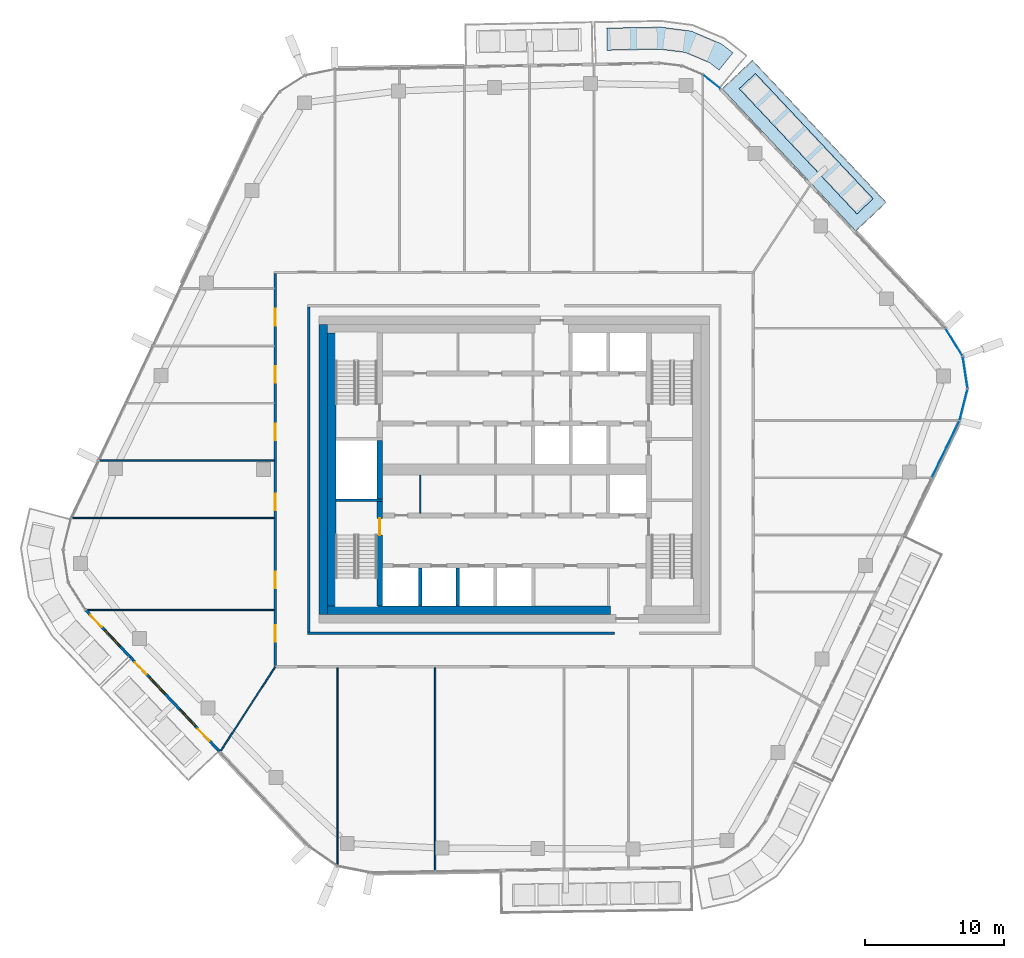
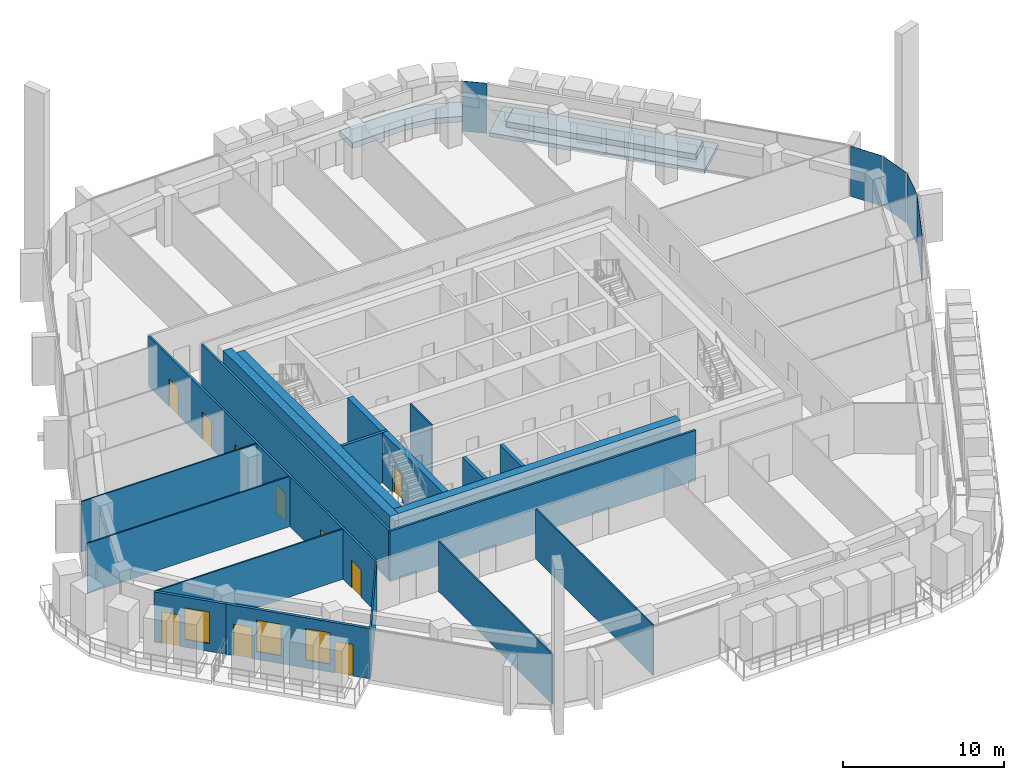
# One storey, part 12 of 24: 20 walls, 10 doors, 5 plates, 3 slabs, 3 windows, 13 openings, 3 elements without a shape of their own.
"""IFC4 building model written with IfcOpenShell, lengths in metres."""

from ifc_helpers import new_model, si_unit, direction, frame, frame_2d, origin, origin_2d, place, context, subcontext, project, spatial, polyline, rectangle, outline, extrude, material, layer, layer_set, type_object, element, fill, aggregate, save


model = new_model("IFC4")

# Units and contexts
model_context = context("Model", 3, precision=1e-05, world=origin(), true_north=direction((0.0, 1.0)))
body_context = subcontext(model_context, "Body", "Model", "MODEL_VIEW")
ifc_project = project(units=[si_unit("LENGTHUNIT", "METRE"), si_unit("AREAUNIT", "SQUARE_METRE"), si_unit("VOLUMEUNIT", "CUBIC_METRE"), si_unit("PLANEANGLEUNIT", "RADIAN"), si_unit("MASSUNIT", "GRAM", prefix="KILO")], contexts=[model_context])

# Site, building, storey
site_placement = place(None, origin())
site = spatial("IfcSite", under=ifc_project, at=site_placement, CompositionType="ELEMENT")
building_placement = place(site_placement, origin())
building = spatial("IfcBuilding", under=site, at=building_placement, Name="Dongbaek Canopy Tower", CompositionType="ELEMENT")
storey_placement = place(building_placement, frame((0.0, 0.0, 294.199951171875)))
storey = spatial("IfcBuildingStorey", under=building, at=storey_placement, Name="L62", CompositionType="ELEMENT", Elevation=294.199951171875)

# Slab
ifc_material_1 = material(Name="Concrete C40/50", Category="concrete")
ifc_layer_1 = layer(ifc_material_1, 0.300048828125)
ifc_layer_set_1 = layer_set([ifc_layer_1], Name="Balcony slab 300")
slab_type_1 = type_object("IfcSlabType", Name="Balcony slab 300", PredefinedType="FLOOR", material=ifc_layer_set_1)
slab_1_placement = place(storey_placement, frame((0.0, 0.0, -0.300048828125)))
element("IfcSlab", 1, at=slab_1_placement, inside=storey, type_object=slab_type_1, Name="Balcony L62 1", PredefinedType="FLOOR", context=body_context, shape_type="SweptSolid", body=[
    extrude(outline(polyline([(24.521240234375, 17.105224609375), (14.907958984375, 27.33447265625), (17.093994140625, 29.388916015625), (26.707275390625, 19.15966796875), (24.521240234375, 17.105224609375)])), origin(), (0.0, 0.0, 1.0), 0.300048828125),
])

# Curtain wall, plates
ifc_material_2 = material(Name="Aluminium 6063-T6 pale anodised", Category="aluminium")
ifc_layer_2 = layer(ifc_material_2, 0.199951171875)
ifc_layer_set_2 = layer_set([ifc_layer_2], Name="CW-1 unitised tower curtain wall")
curtain_wall_type = type_object("IfcCurtainWallType", Name="CW-1 unitised tower curtain wall", PredefinedType="NOTDEFINED", material=ifc_layer_set_2)
curtain_wall_1_placement = place(storey_placement, origin())
curtain_wall_1 = element("IfcCurtainWall", 2, at=curtain_wall_1_placement, inside=storey, type_object=curtain_wall_type, Name="CW-1 curtain wall K0.1", PredefinedType="NOTDEFINED")
ifc_material_3 = material(Name="Clear laminated glass", Category="glass")
ifc_layer_3 = layer(ifc_material_3, 0.028076171875)
ifc_layer_set_3 = layer_set([ifc_layer_3], Name="CW-1 glazed panel 28")
plate_type = type_object("IfcPlateType", Name="CW-1 glazed panel 28", PredefinedType="CURTAIN_PANEL", material=ifc_layer_set_3)
plate_1_placement = place(storey_placement, frame((32.23583984375, 4.656494140625, 0.0), z_axis=(0.0, 0.0, 1.0), x_axis=(0.247503311967, 0.968887047372, 0.0)))
plate_1 = element("IfcPlate", 3, at=plate_1_placement, type_object=plate_type, Name="CW-1 panel K0.1.1.1", PredefinedType="CURTAIN_PANEL", context=body_context, shape_type="SweptSolid", body=[
    extrude(rectangle(XDim=2.280029296875, YDim=0.028076171875, at=origin_2d()), origin(), (0.0, 0.0, 1.0), 3.820068359375),
])
plate_2_placement = place(storey_placement, frame((32.3505859375, 6.965087890625, 0.0), z_axis=(0.0, 0.0, 1.0), x_axis=(-0.151105947634, 0.988517573233, 0.0)))
plate_2 = element("IfcPlate", 4, at=plate_2_placement, type_object=plate_type, Name="CW-1 panel K0.1.2.1", PredefinedType="CURTAIN_PANEL", context=body_context, shape_type="SweptSolid", body=[
    extrude(rectangle(XDim=2.269775390625, YDim=0.028076171875, at=origin_2d()), origin(), (0.0, 0.0, 1.0), 3.820068359375),
])
plate_3_placement = place(storey_placement, frame((31.551513671875, 9.134033203125, 0.0), z_axis=(0.0, 0.0, 1.0), x_axis=(-0.525647852836, 0.850702259789, 0.0)))
plate_3 = element("IfcPlate", 5, at=plate_3_placement, type_object=plate_type, Name="CW-1 panel K0.1.3.1", PredefinedType="CURTAIN_PANEL", context=body_context, shape_type="SweptSolid", body=[
    extrude(rectangle(XDim=2.280029296875, YDim=0.028076171875, at=origin_2d()), origin(), (0.0, 0.0, 1.0), 3.820068359375),
])
aggregate(curtain_wall_1, [plate_1, plate_2, plate_3])

# Curtain wall, plate
curtain_wall_2_placement = place(storey_placement, origin())
curtain_wall_2 = element("IfcCurtainWall", 6, at=curtain_wall_2_placement, inside=storey, type_object=curtain_wall_type, Name="CW-1 curtain wall K1.1", PredefinedType="NOTDEFINED")
plate_4_placement = place(storey_placement, frame((14.164794921875, 27.8125, 0.0), z_axis=(0.0, 0.0, 1.0), x_axis=(-0.779328281128, 0.626615855396, 0.0)))
plate_4 = element("IfcPlate", 7, at=plate_4_placement, type_object=plate_type, Name="CW-1 panel K1.1.1.1", PredefinedType="CURTAIN_PANEL", context=body_context, shape_type="SweptSolid", body=[
    extrude(rectangle(XDim=1.560302734375, YDim=0.028076171875, at=origin_2d()), origin(), (0.0, 0.0, 1.0), 3.820068359375),
])
aggregate(curtain_wall_2, [plate_4])

curtain_wall_3_placement = place(storey_placement, origin())
curtain_wall_3 = element("IfcCurtainWall", 8, at=curtain_wall_3_placement, inside=storey, type_object=curtain_wall_type, Name="CW-1 curtain wall F5.1", PredefinedType="NOTDEFINED")
plate_5_placement = place(storey_placement, frame((30.951416015625, 1.462646484375, 0.1201171875), z_axis=(0.0, 0.0, 1.0), x_axis=(0.435863332121, 0.900012864193, 0.0)))
plate_5 = element("IfcPlate", 9, at=plate_5_placement, type_object=plate_type, Name="CW-1 panel F5.1.2.1", PredefinedType="CURTAIN_PANEL", context=body_context, shape_type="SweptSolid", body=[
    extrude(rectangle(XDim=4.468017578125, YDim=0.028076171875, at=origin_2d()), origin(), (0.0, 0.0, 1.0), 3.699951171875),
])
aggregate(curtain_wall_3, [plate_5])

# Slabs
ifc_material_4 = material(Name="Reinforced concrete C40/50 planter box with soil", Category="concrete")
ifc_layer_4 = layer(ifc_material_4, 0.419921875)
ifc_layer_set_4 = layer_set([ifc_layer_4], Name="Terrace planter box 1600 x 420")
slab_type_2 = type_object("IfcSlabType", Name="Terrace planter box 1600 x 420", PredefinedType="USERDEFINED", material=ifc_layer_set_4)
slab_2_placement = place(storey_placement, origin())
element("IfcSlab", 10, at=slab_2_placement, inside=storey, type_object=slab_type_2, Name="Balcony planter L62 1", ObjectType="PLANTER", PredefinedType="USERDEFINED", context=body_context, shape_type="SweptSolid", body=[
    extrude(outline(polyline([(24.587646484375, 18.334228515625), (16.138427734375, 27.324462890625), (17.304443359375, 28.420166015625), (25.75341796875, 19.429931640625), (24.587646484375, 18.334228515625)])), origin(), (0.0, 0.0, 1.0), 0.420166015625),
])
slab_3_placement = place(storey_placement, origin())
element("IfcSlab", 11, at=slab_3_placement, inside=storey, type_object=slab_type_2, Name="Balcony planter L62 6", ObjectType="PLANTER", PredefinedType="USERDEFINED", context=body_context, shape_type="SweptSolid", body=[
    extrude(outline(polyline([(14.69091796875, 28.65966796875), (14.03173828125, 29.1787109375), (12.26953125, 29.921142578125), (10.43310546875, 30.149658203125), (6.666015625, 30.08056640625), (6.6357421875, 31.68017578125), (10.51416015625, 31.74755859375), (12.68017578125, 31.467529296875), (14.851806640625, 30.552490234375), (15.693603515625, 29.90673828125), (14.69091796875, 28.65966796875)])), origin(), (0.0, 0.0, 1.0), 0.420166015625),
])

# Walls
ifc_material_5 = material(Name="Concrete C80/95", Category="concrete")
ifc_layer_5 = layer(ifc_material_5, 0.60009765625)
ifc_layer_set_5 = layer_set([ifc_layer_5], Name="Core outer wall 600 Concrete C80/95")
wall_type_1 = type_object("IfcWallType", Name="Core outer wall 600 Concrete C80/95", PredefinedType="SHEAR", material=ifc_layer_set_5)
wall_1_placement = place(storey_placement, frame((-13.699951171875, -10.39990234375, 0.0), z_axis=(0.0, 0.0, 1.0), x_axis=(0.0, 1.0, 0.0)))
element("IfcWall", 12, at=wall_1_placement, inside=storey, type_object=wall_type_1, Name="Core wall", PredefinedType="SHEAR", context=body_context, shape_type="SweptSolid", body=[
    extrude(rectangle(XDim=20.7998046875, YDim=0.60009765625, at=frame_2d((10.39990234375, 0.0))), origin(), (0.0, 0.0, 1.0), 3.820068359375),
])
ifc_material_6 = material(Name="Concrete C60/75", Category="concrete")
ifc_layer_6 = layer(ifc_material_6, 0.60009765625)
ifc_layer_set_6 = layer_set([ifc_layer_6], Name="Core wall lining 600 Concrete C60/75")
wall_type_2 = type_object("IfcWallType", Name="Core wall lining 600 Concrete C60/75", PredefinedType="SHEAR", material=ifc_layer_set_6)
wall_2_placement = place(storey_placement, frame((6.89990234375, -10.10009765625, 0.0), z_axis=(0.0, 0.0, 1.0), x_axis=(-1.0, 0.0, 0.0)))
element("IfcWall", 13, at=wall_2_placement, inside=storey, type_object=wall_type_2, Name="Core wall lining", PredefinedType="SHEAR", context=body_context, shape_type="SweptSolid", body=[
    extrude(rectangle(XDim=20.2998046875, YDim=0.60009765625, at=frame_2d((10.14990234375, 0.0))), origin(), (0.0, 0.0, 1.0), 3.820068359375),
])
wall_3_placement = place(storey_placement, frame((-13.10009765625, -9.800048828125, 0.0), z_axis=(0.0, 0.0, 1.0), x_axis=(0.0, 1.0, 0.0)))
element("IfcWall", 14, at=wall_3_placement, inside=storey, type_object=wall_type_2, Name="Core wall lining", PredefinedType="SHEAR", context=body_context, shape_type="SweptSolid", body=[
    extrude(rectangle(XDim=19.60009765625, YDim=0.60009765625, at=frame_2d((9.800048828125, 0.0))), origin(), (0.0, 0.0, 1.0), 3.820068359375),
])
ifc_material_7 = material(Name="Gypsum board partition, steel stud, 2 x 15 mm fire board", Category="steel")
ifc_layer_7 = layer(ifc_material_7, 0.14990234375)
ifc_layer_set_7 = layer_set([ifc_layer_7], Name="Fire-rated partition 150 gypsum board")
wall_type_3 = type_object("IfcWallType", Name="Fire-rated partition 150 gypsum board", PredefinedType="PARTITIONING", material=ifc_layer_set_7)
wall_4_placement = place(storey_placement, frame((-14.824951171875, -11.75, 0.0), z_axis=(0.0, 0.0, 1.0), x_axis=(1.0, 0.0, 0.0)))
element("IfcWall", 15, at=wall_4_placement, inside=storey, type_object=wall_type_3, Name="Corridor partition", PredefinedType="PARTITIONING", context=body_context, shape_type="SweptSolid", body=[
    extrude(rectangle(XDim=22.02490234375, YDim=0.14990234375, at=frame_2d((11.012451171875, 0.0))), origin(), (0.0, 0.0, 1.0), 3.820068359375),
])
wall_5_placement = place(storey_placement, frame((-14.75, -11.675048828125, 0.0), z_axis=(0.0, 0.0, 1.0), x_axis=(0.0, 1.0, 0.0)))
element("IfcWall", 16, at=wall_5_placement, inside=storey, type_object=wall_type_3, Name="Corridor partition", PredefinedType="PARTITIONING", context=body_context, shape_type="SweptSolid", body=[
    extrude(rectangle(XDim=23.35009765625, YDim=0.14990234375, at=frame_2d((11.675048828125, 0.0))), origin(), (0.0, 0.0, 1.0), 3.820068359375),
])

# Wall, openings, doors
wall_6_placement = place(storey_placement, frame((-17.14990234375, -14.074951171875, 0.0), z_axis=(0.0, 0.0, 1.0), x_axis=(0.0, 1.0, 0.0)))
wall_6 = element("IfcWall", 17, at=wall_6_placement, inside=storey, type_object=wall_type_3, Name="Corridor partition", PredefinedType="PARTITIONING", context=body_context, shape_type="SweptSolid", body=[
    extrude(rectangle(XDim=28.14990234375, YDim=0.14990234375, at=frame_2d((14.074951171875, 0.0))), origin(), (0.0, 0.0, 1.0), 3.820068359375),
])
opening_1_placement = place(wall_6_placement, frame((11.151123046875, 0.0, 0.0)))
opening_1 = element("IfcOpeningElement", 18, at=opening_1_placement, cuts=wall_6, Name="Opening L62-D001", PredefinedType="OPENING", context=body_context, shape_type="SweptSolid", body=[
    extrude(rectangle(XDim=1.199951171875, YDim=2.10009765625, at=frame_2d((0.60009765625, 1.050048828125))), frame((0.0, 0.0849609375, 0.0), z_axis=(0.0, -1.0, 0.0), x_axis=(1.0, 0.0, 0.0)), (0.0, 0.0, 1.0), 0.169921875),
])
opening_2_placement = place(wall_6_placement, frame((5.5546875, 0.0, 0.0)))
opening_2 = element("IfcOpeningElement", 19, at=opening_2_placement, cuts=wall_6, Name="Opening L62-D002", PredefinedType="OPENING", context=body_context, shape_type="SweptSolid", body=[
    extrude(rectangle(XDim=1.199951171875, YDim=2.10009765625, at=frame_2d((0.60009765625, 1.050048828125))), frame((0.0, 0.0849609375, 0.0), z_axis=(0.0, -1.0, 0.0), x_axis=(1.0, 0.0, 0.0)), (0.0, 0.0, 1.0), 0.169921875),
])
opening_3_placement = place(wall_6_placement, frame((1.7001953125, 0.0, 0.0)))
opening_3 = element("IfcOpeningElement", 20, at=opening_3_placement, cuts=wall_6, Name="Opening L62-D003", PredefinedType="OPENING", context=body_context, shape_type="SweptSolid", body=[
    extrude(rectangle(XDim=1.199951171875, YDim=2.10009765625, at=frame_2d((0.60009765625, 1.050048828125))), frame((0.0, 0.0849609375, 0.0), z_axis=(0.0, -1.0, 0.0), x_axis=(1.0, 0.0, 0.0)), (0.0, 0.0, 1.0), 0.169921875),
])
opening_4_placement = place(wall_6_placement, frame((24.40966796875, 0.0, 0.0)))
opening_4 = element("IfcOpeningElement", 21, at=opening_4_placement, cuts=wall_6, Name="Opening L62-D023", PredefinedType="OPENING", context=body_context, shape_type="SweptSolid", body=[
    extrude(rectangle(XDim=1.199951171875, YDim=2.10009765625, at=frame_2d((0.60009765625, 1.050048828125))), frame((0.0, 0.0849609375, 0.0), z_axis=(0.0, -1.0, 0.0), x_axis=(1.0, 0.0, 0.0)), (0.0, 0.0, 1.0), 0.169921875),
])
opening_5_placement = place(wall_6_placement, frame((20.2900390625, 0.0, 0.0)))
opening_5 = element("IfcOpeningElement", 22, at=opening_5_placement, cuts=wall_6, Name="Opening L62-D024", PredefinedType="OPENING", context=body_context, shape_type="SweptSolid", body=[
    extrude(rectangle(XDim=1.199951171875, YDim=2.10009765625, at=frame_2d((0.60009765625, 1.050048828125))), frame((0.0, 0.0849609375, 0.0), z_axis=(0.0, -1.0, 0.0), x_axis=(1.0, 0.0, 0.0)), (0.0, 0.0, 1.0), 0.169921875),
])
opening_6_placement = place(wall_6_placement, frame((16.17041015625, 0.0, 0.0)))
opening_6 = element("IfcOpeningElement", 23, at=opening_6_placement, cuts=wall_6, Name="Opening L62-D025", PredefinedType="OPENING", context=body_context, shape_type="SweptSolid", body=[
    extrude(rectangle(XDim=1.199951171875, YDim=2.10009765625, at=frame_2d((0.60009765625, 1.050048828125))), frame((0.0, 0.0849609375, 0.0), z_axis=(0.0, -1.0, 0.0), x_axis=(1.0, 0.0, 0.0)), (0.0, 0.0, 1.0), 0.169921875),
])
ifc_material_8 = material(Name="Timber veneered door leaf", Category="wood")
door_type_1 = type_object("IfcDoorType", Name="Room door 1200 x 2100", OperationType="SINGLE_SWING_LEFT", PredefinedType="DOOR", material=ifc_material_8)
door_1_placement = place(opening_1_placement, origin())
door_1 = element("IfcDoor", 24, at=door_1_placement, inside=storey, type_object=door_type_1, Name="Door L62-D001", OperationType="SINGLE_SWING_RIGHT", OverallHeight=2.10009765625, OverallWidth=1.199951171875, PredefinedType="DOOR", context=body_context, shape_type="SweptSolid", body=[
    extrude(rectangle(XDim=1.199951171875, YDim=2.10009765625, at=frame_2d((0.60009765625, 1.050048828125))), frame((0.0, 0.02490234375, 0.0), z_axis=(0.0, -1.0, 0.0), x_axis=(1.0, 0.0, 0.0)), (0.0, 0.0, 1.0), 0.050048828125),
])
fill(opening_1, door_1)
door_2_placement = place(opening_2_placement, origin())
door_2 = element("IfcDoor", 25, at=door_2_placement, inside=storey, type_object=door_type_1, Name="Door L62-D002", OperationType="SINGLE_SWING_LEFT", OverallHeight=2.10009765625, OverallWidth=1.199951171875, PredefinedType="DOOR", context=body_context, shape_type="SweptSolid", body=[
    extrude(rectangle(XDim=1.199951171875, YDim=2.10009765625, at=frame_2d((0.60009765625, 1.050048828125))), frame((0.0, 0.02490234375, 0.0), z_axis=(0.0, -1.0, 0.0), x_axis=(1.0, 0.0, 0.0)), (0.0, 0.0, 1.0), 0.050048828125),
])
fill(opening_2, door_2)
door_3_placement = place(opening_3_placement, origin())
door_3 = element("IfcDoor", 26, at=door_3_placement, inside=storey, type_object=door_type_1, Name="Door L62-D003", OperationType="SINGLE_SWING_RIGHT", OverallHeight=2.10009765625, OverallWidth=1.199951171875, PredefinedType="DOOR", context=body_context, shape_type="SweptSolid", body=[
    extrude(rectangle(XDim=1.199951171875, YDim=2.10009765625, at=frame_2d((0.60009765625, 1.050048828125))), frame((0.0, 0.02490234375, 0.0), z_axis=(0.0, -1.0, 0.0), x_axis=(1.0, 0.0, 0.0)), (0.0, 0.0, 1.0), 0.050048828125),
])
fill(opening_3, door_3)
door_4_placement = place(opening_4_placement, origin())
door_4 = element("IfcDoor", 27, at=door_4_placement, inside=storey, type_object=door_type_1, Name="Door L62-D023", OperationType="SINGLE_SWING_RIGHT", OverallHeight=2.10009765625, OverallWidth=1.199951171875, PredefinedType="DOOR", context=body_context, shape_type="SweptSolid", body=[
    extrude(rectangle(XDim=1.199951171875, YDim=2.10009765625, at=frame_2d((0.60009765625, 1.050048828125))), frame((0.0, 0.02490234375, 0.0), z_axis=(0.0, -1.0, 0.0), x_axis=(1.0, 0.0, 0.0)), (0.0, 0.0, 1.0), 0.050048828125),
])
fill(opening_4, door_4)
door_5_placement = place(opening_5_placement, origin())
door_5 = element("IfcDoor", 28, at=door_5_placement, inside=storey, type_object=door_type_1, Name="Door L62-D024", OperationType="SINGLE_SWING_LEFT", OverallHeight=2.10009765625, OverallWidth=1.199951171875, PredefinedType="DOOR", context=body_context, shape_type="SweptSolid", body=[
    extrude(rectangle(XDim=1.199951171875, YDim=2.10009765625, at=frame_2d((0.60009765625, 1.050048828125))), frame((0.0, 0.02490234375, 0.0), z_axis=(0.0, -1.0, 0.0), x_axis=(1.0, 0.0, 0.0)), (0.0, 0.0, 1.0), 0.050048828125),
])
fill(opening_5, door_5)
door_6_placement = place(opening_6_placement, origin())
door_6 = element("IfcDoor", 29, at=door_6_placement, inside=storey, type_object=door_type_1, Name="Door L62-D025", OperationType="SINGLE_SWING_RIGHT", OverallHeight=2.10009765625, OverallWidth=1.199951171875, PredefinedType="DOOR", context=body_context, shape_type="SweptSolid", body=[
    extrude(rectangle(XDim=1.199951171875, YDim=2.10009765625, at=frame_2d((0.60009765625, 1.050048828125))), frame((0.0, 0.02490234375, 0.0), z_axis=(0.0, -1.0, 0.0), x_axis=(1.0, 0.0, 0.0)), (0.0, 0.0, 1.0), 0.050048828125),
])
fill(opening_6, door_6)

# Walls
ifc_material_9 = material(Name="Concrete C40/50", Category="concrete")
ifc_layer_8 = layer(ifc_material_9, 0.25)
ifc_layer_set_8 = layer_set([ifc_layer_8], Name="Lift shaft wall 250 Concrete C40/50")
wall_type_4 = type_object("IfcWallType", Name="Lift shaft wall 250 Concrete C40/50", PredefinedType="SOLIDWALL", material=ifc_layer_set_8)
for number, where, z_axis, x_axis, name in (
    (30, (-4.050048828125, -9.800048828125, 0.0), (0.0, 0.0, 1.0), (0.0, 1.0, 0.0), "Lift shaft wall"),
    (31, (-6.75, -9.800048828125, 0.0), (0.0, 0.0, 1.0), (0.0, 1.0, 0.0), "Lift shaft wall"),
):
    element("IfcWall", number, at=place(storey_placement, frame(where, z_axis=z_axis, x_axis=x_axis)), inside=storey, type_object=wall_type_4, Name=name, PredefinedType="SOLIDWALL", context=body_context, shape_type="SweptSolid", body=[
        extrude(rectangle(XDim=2.72509765625, YDim=0.25, at=frame_2d((1.362548828125, 0.0))), origin(), (0.0, 0.0, 1.0), 3.820068359375),
    ])
ifc_material_10 = material(Name="Gypsum board partition, steel stud, 2 x 12.5 mm board", Category="steel")
ifc_layer_9 = layer(ifc_material_10, 0.10009765625)
ifc_layer_set_9 = layer_set([ifc_layer_9], Name="Partition 100 gypsum board")
wall_type_5 = type_object("IfcWallType", Name="Partition 100 gypsum board", PredefinedType="PARTITIONING", material=ifc_layer_set_9)
wall_7_placement = place(storey_placement, frame((-30.7255859375, -10.0791015625, 0.0), z_axis=(0.0, 0.0, 1.0), x_axis=(1.0, 0.0, 0.0)))
element("IfcWall", 32, at=wall_7_placement, inside=storey, type_object=wall_type_5, Name="Partition", PredefinedType="PARTITIONING", context=body_context, shape_type="SweptSolid", body=[
    extrude(rectangle(XDim=13.50048828125, YDim=0.10009765625, at=frame_2d((6.750244140625, 0.0))), origin(), (0.0, 0.0, 1.0), 3.820068359375),
])
wall_8_placement = place(storey_placement, frame((-31.777099609375, -3.47509765625, 0.0), z_axis=(0.0, 0.0, 1.0), x_axis=(1.0, 0.0, 0.0)))
element("IfcWall", 33, at=wall_8_placement, inside=storey, type_object=wall_type_5, Name="Partition", PredefinedType="PARTITIONING", context=body_context, shape_type="SweptSolid", body=[
    extrude(rectangle(XDim=14.552001953125, YDim=0.10009765625, at=frame_2d((7.27587890625, 0.0))), origin(), (0.0, 0.0, 1.0), 3.820068359375),
])
wall_9_placement = place(storey_placement, frame((-29.82421875, 0.635009765625, 0.0), z_axis=(0.0, 0.0, 1.0), x_axis=(1.0, 0.0, 0.0)))
element("IfcWall", 34, at=wall_9_placement, inside=storey, type_object=wall_type_5, Name="Partition", PredefinedType="PARTITIONING", context=body_context, shape_type="SweptSolid", body=[
    extrude(rectangle(XDim=12.59912109375, YDim=0.10009765625, at=frame_2d((6.299560546875, 0.0))), origin(), (0.0, 0.0, 1.0), 3.820068359375),
])
wall_10_placement = place(storey_placement, frame((-21.09912109375, -20.251953125, 0.0), z_axis=(0.0, 0.0, 1.0), x_axis=(0.543308378863, 0.839533206882, 0.0)))
element("IfcWall", 35, at=wall_10_placement, inside=storey, type_object=wall_type_5, Name="Partition", PredefinedType="PARTITIONING", context=body_context, shape_type="SweptSolid", body=[
    extrude(rectangle(XDim=7.268310546875, YDim=0.10009765625, at=frame_2d((3.63427734375, 0.0))), origin(), (0.0, 0.0, 1.0), 3.820068359375),
])
wall_11_placement = place(storey_placement, frame((-5.677001953125, -28.81982421875, 0.0), z_axis=(0.0, 0.0, 1.0), x_axis=(0.0, 1.0, 0.0)))
element("IfcWall", 36, at=wall_11_placement, inside=storey, type_object=wall_type_5, Name="Partition", PredefinedType="PARTITIONING", context=body_context, shape_type="SweptSolid", body=[
    extrude(rectangle(XDim=14.5947265625, YDim=0.10009765625, at=frame_2d((7.29736328125, 0.0))), origin(), (0.0, 0.0, 1.0), 3.820068359375),
])
wall_12_placement = place(storey_placement, frame((-12.680908203125, -28.424072265625, 0.0), z_axis=(0.0, 0.0, 1.0), x_axis=(0.0, 1.0, 0.0)))
element("IfcWall", 37, at=wall_12_placement, inside=storey, type_object=wall_type_5, Name="Partition", PredefinedType="PARTITIONING", context=body_context, shape_type="SweptSolid", body=[
    extrude(rectangle(XDim=14.198974609375, YDim=0.10009765625, at=frame_2d((7.099609375, 0.0))), origin(), (0.0, 0.0, 1.0), 3.820068359375),
])
wall_13_placement = place(storey_placement, frame((-6.75, -3.125, 0.0), z_axis=(0.0, 0.0, 1.0), x_axis=(0.0, 1.0, 0.0)))
element("IfcWall", 38, at=wall_13_placement, inside=storey, type_object=wall_type_5, Name="Core partition", PredefinedType="PARTITIONING", context=body_context, shape_type="SweptSolid", body=[
    extrude(rectangle(XDim=2.72509765625, YDim=0.10009765625, at=frame_2d((1.362548828125, 0.0))), origin(), (0.0, 0.0, 1.0), 3.820068359375),
])
ifc_material_11 = material(Name="Concrete C60/75", Category="concrete")
ifc_layer_10 = layer(ifc_material_11, 0.199951171875)
ifc_layer_set_10 = layer_set([ifc_layer_10], Name="Riser wall 200 Concrete C60/75")
wall_type_6 = type_object("IfcWallType", Name="Riser wall 200 Concrete C60/75", PredefinedType="SHEAR", material=ifc_layer_set_10)
wall_14_placement = place(storey_placement, frame((-9.449951171875, -2.199951171875, 0.0), z_axis=(0.0, 0.0, 1.0), x_axis=(-1.0, 0.0, 0.0)))
element("IfcWall", 39, at=wall_14_placement, inside=storey, type_object=wall_type_6, Name="Riser wall", PredefinedType="SHEAR", context=body_context, shape_type="SweptSolid", body=[
    extrude(rectangle(XDim=3.35009765625, YDim=0.199951171875, at=frame_2d((1.675048828125, 0.0))), origin(), (0.0, 0.0, 1.0), 3.820068359375),
])

# Wall, opening, door
ifc_material_12 = material(Name="Concrete C60/75", Category="concrete")
ifc_layer_11 = layer(ifc_material_12, 0.39990234375)
ifc_layer_set_11 = layer_set([ifc_layer_11], Name="Stair wall 400 Concrete C60/75")
wall_type_7 = type_object("IfcWallType", Name="Stair wall 400 Concrete C60/75", PredefinedType="SHEAR", material=ifc_layer_set_11)
wall_15_placement = place(storey_placement, frame((-9.64990234375, -9.800048828125, 0.0), z_axis=(0.0, 0.0, 1.0), x_axis=(0.0, 1.0, 0.0)))
wall_15 = element("IfcWall", 40, at=wall_15_placement, inside=storey, type_object=wall_type_7, Name="Stair wall", PredefinedType="SHEAR", context=body_context, shape_type="SweptSolid", body=[
    extrude(rectangle(XDim=7.5, YDim=0.39990234375, at=frame_2d((3.75, 0.0))), origin(), (0.0, 0.0, 1.0), 3.820068359375),
])
opening_7_placement = place(wall_15_placement, frame((5.10009765625, 0.0, 0.0)))
opening_7 = element("IfcOpeningElement", 41, at=opening_7_placement, cuts=wall_15, Name="Opening L62-D055", PredefinedType="OPENING", context=body_context, shape_type="SweptSolid", body=[
    extrude(rectangle(XDim=1.199951171875, YDim=2.10009765625, at=frame_2d((0.60009765625, 1.050048828125))), frame((0.0, 0.2099609375, 0.0), z_axis=(0.0, -1.0, 0.0), x_axis=(1.0, 0.0, 0.0)), (0.0, 0.0, 1.0), 0.419921875),
])
ifc_material_13 = material(Name="Steel", Category="steel")
door_type_2 = type_object("IfcDoorType", Name="Stair door 1200 x 2100", OperationType="SINGLE_SWING_LEFT", PredefinedType="DOOR", material=ifc_material_13)
door_7_placement = place(opening_7_placement, origin())
door_7 = element("IfcDoor", 42, at=door_7_placement, inside=storey, type_object=door_type_2, Name="Stair D door", OperationType="SINGLE_SWING_LEFT", OverallHeight=2.10009765625, OverallWidth=1.199951171875, PredefinedType="DOOR", context=body_context, shape_type="SweptSolid", body=[
    extrude(rectangle(XDim=1.199951171875, YDim=2.10009765625, at=frame_2d((0.60009765625, 1.050048828125))), frame((0.0, 0.02490234375, 0.0), z_axis=(0.0, -1.0, 0.0), x_axis=(1.0, 0.0, 0.0)), (0.0, 0.0, 1.0), 0.050048828125),
])
fill(opening_7, door_7)

# Wall
wall_16_placement = place(storey_placement, frame((-9.64990234375, -2.10009765625, 0.0), z_axis=(0.0, 0.0, 1.0), x_axis=(0.0, 1.0, 0.0)))
element("IfcWall", 43, at=wall_16_placement, inside=storey, type_object=wall_type_7, Name="Stair wall", PredefinedType="SHEAR", context=body_context, shape_type="SweptSolid", body=[
    extrude(rectangle(XDim=4.2001953125, YDim=0.39990234375, at=frame_2d((2.10009765625, 0.0))), origin(), (0.0, 0.0, 1.0), 3.820068359375),
])

# Wall, openings, doors, windows
ifc_material_14 = material(Name="Aluminium window wall", Category="aluminium")
ifc_layer_12 = layer(ifc_material_14, 0.199951171875)
ifc_layer_set_12 = layer_set([ifc_layer_12], Name="Window wall 200")
wall_type_8 = type_object("IfcWallType", Name="Window wall 200", PredefinedType="SOLIDWALL", material=ifc_layer_set_12)
wall_17_placement = place(storey_placement, frame((-27.54345703125, -13.470703125, 0.0), z_axis=(0.0, 0.0, 1.0), x_axis=(0.687314061727, -0.726360365488, 0.0)))
wall_17 = element("IfcWall", 44, at=wall_17_placement, inside=storey, type_object=wall_type_8, Name="Window wall L62 3", PredefinedType="SOLIDWALL", context=body_context, shape_type="SweptSolid", body=[
    extrude(rectangle(XDim=9.360107421875, YDim=0.199951171875, at=frame_2d((4.68017578125, 0.0))), origin(), (0.0, 0.0, 1.0), 3.820068359375),
])
opening_8_placement = place(wall_17_placement, frame((2.0, 0.0, 0.60009765625)))
opening_8 = element("IfcOpeningElement", 45, at=opening_8_placement, cuts=wall_17, Name="Opening W1", PredefinedType="OPENING", context=body_context, shape_type="SweptSolid", body=[
    extrude(rectangle(XDim=1.60009765625, YDim=2.39990234375, at=frame_2d((0.800048828125, 1.199951171875))), frame((0.0, 0.10986328125, 0.0), z_axis=(0.0, -1.0, 0.0), x_axis=(1.0, 0.0, 0.0)), (0.0, 0.0, 1.0), 0.219970703125),
])
opening_9_placement = place(wall_17_placement, frame((0.5, 0.0, 0.0)))
opening_9 = element("IfcOpeningElement", 46, at=opening_9_placement, cuts=wall_17, Name="Opening L62-B07", PredefinedType="OPENING", context=body_context, shape_type="SweptSolid", body=[
    extrude(rectangle(XDim=1.199951171875, YDim=2.39990234375, at=frame_2d((0.60009765625, 1.199951171875))), frame((0.0, 0.10986328125, 0.0), z_axis=(0.0, -1.0, 0.0), x_axis=(1.0, 0.0, 0.0)), (0.0, 0.0, 1.0), 0.219970703125),
])
opening_10_placement = place(wall_17_placement, frame((5.179931640625, 0.0, 0.60009765625)))
opening_10 = element("IfcOpeningElement", 47, at=opening_10_placement, cuts=wall_17, Name="Opening W1", PredefinedType="OPENING", context=body_context, shape_type="SweptSolid", body=[
    extrude(rectangle(XDim=1.60009765625, YDim=2.39990234375, at=frame_2d((0.800048828125, 1.199951171875))), frame((0.0, 0.10986328125, 0.0), z_axis=(0.0, -1.0, 0.0), x_axis=(1.0, 0.0, 0.0)), (0.0, 0.0, 1.0), 0.219970703125),
])
opening_11_placement = place(wall_17_placement, frame((7.080078125, 0.0, 0.0)))
opening_11 = element("IfcOpeningElement", 48, at=opening_11_placement, cuts=wall_17, Name="Opening L62-B08", PredefinedType="OPENING", context=body_context, shape_type="SweptSolid", body=[
    extrude(rectangle(XDim=1.199951171875, YDim=2.39990234375, at=frame_2d((0.60009765625, 1.199951171875))), frame((0.0, 0.10986328125, 0.0), z_axis=(0.0, -1.0, 0.0), x_axis=(1.0, 0.0, 0.0)), (0.0, 0.0, 1.0), 0.219970703125),
])
ifc_material_15 = material(Name="Clear glazing in aluminium frame", Category="aluminium")
door_type_3 = type_object("IfcDoorType", Name="Balcony door BD1 1200 x 2400", OperationType="SLIDING_TO_LEFT", PredefinedType="DOOR", material=ifc_material_15)
door_8_placement = place(opening_9_placement, origin())
door_8 = element("IfcDoor", 49, at=door_8_placement, inside=storey, type_object=door_type_3, Name="Balcony door L62-B07", OperationType="SLIDING_TO_LEFT", OverallHeight=2.39990234375, OverallWidth=1.199951171875, PredefinedType="DOOR", context=body_context, shape_type="SweptSolid", body=[
    extrude(rectangle(XDim=1.199951171875, YDim=2.39990234375, at=frame_2d((0.60009765625, 1.199951171875))), frame((0.0, 0.02490234375, 0.0), z_axis=(0.0, -1.0, 0.0), x_axis=(1.0, 0.0, 0.0)), (0.0, 0.0, 1.0), 0.050048828125),
])
fill(opening_9, door_8)
door_9_placement = place(opening_11_placement, origin())
door_9 = element("IfcDoor", 50, at=door_9_placement, inside=storey, type_object=door_type_3, Name="Balcony door L62-B08", OperationType="SLIDING_TO_LEFT", OverallHeight=2.39990234375, OverallWidth=1.199951171875, PredefinedType="DOOR", context=body_context, shape_type="SweptSolid", body=[
    extrude(rectangle(XDim=1.199951171875, YDim=2.39990234375, at=frame_2d((0.60009765625, 1.199951171875))), frame((0.0, 0.02490234375, 0.0), z_axis=(0.0, -1.0, 0.0), x_axis=(1.0, 0.0, 0.0)), (0.0, 0.0, 1.0), 0.050048828125),
])
fill(opening_11, door_9)
ifc_material_16 = material(Name="Clear glazing in aluminium frame", Category="aluminium")
window_type = type_object("IfcWindowType", Name="Window W1 1600 x 2400", PartitioningType="SINGLE_PANEL", PredefinedType="WINDOW", material=ifc_material_16)
window_1_placement = place(opening_8_placement, origin())
window_1 = element("IfcWindow", 51, at=window_1_placement, inside=storey, type_object=window_type, Name="Window L62 3.1", OverallHeight=2.39990234375, OverallWidth=1.60009765625, PartitioningType="SINGLE_PANEL", PredefinedType="WINDOW", context=body_context, shape_type="SweptSolid", body=[
    extrude(rectangle(XDim=1.60009765625, YDim=2.39990234375, at=frame_2d((0.800048828125, 1.199951171875))), frame((0.0, 0.030029296875, 0.0), z_axis=(0.0, -1.0, 0.0), x_axis=(1.0, 0.0, 0.0)), (0.0, 0.0, 1.0), 0.06005859375),
])
fill(opening_8, window_1)
window_2_placement = place(opening_10_placement, origin())
window_2 = element("IfcWindow", 52, at=window_2_placement, inside=storey, type_object=window_type, Name="Window L62 3.2", OverallHeight=2.39990234375, OverallWidth=1.60009765625, PartitioningType="SINGLE_PANEL", PredefinedType="WINDOW", context=body_context, shape_type="SweptSolid", body=[
    extrude(rectangle(XDim=1.60009765625, YDim=2.39990234375, at=frame_2d((0.800048828125, 1.199951171875))), frame((0.0, 0.030029296875, 0.0), z_axis=(0.0, -1.0, 0.0), x_axis=(1.0, 0.0, 0.0)), (0.0, 0.0, 1.0), 0.06005859375),
])
fill(opening_10, window_2)

# Wall, openings, door, window
wall_18_placement = place(storey_placement, frame((-30.753173828125, -10.07861328125, 0.0), z_axis=(0.0, 0.0, 1.0), x_axis=(0.687310953658, -0.726363306467, 0.0)))
wall_18 = element("IfcWall", 53, at=wall_18_placement, inside=storey, type_object=wall_type_8, Name="Window wall L62 7", PredefinedType="SOLIDWALL", context=body_context, shape_type="SweptSolid", body=[
    extrude(rectangle(XDim=4.669921875, YDim=0.199951171875, at=frame_2d((2.3349609375, 0.0))), origin(), (0.0, 0.0, 1.0), 3.820068359375),
])
opening_12_placement = place(wall_18_placement, frame((2.0, 0.0, 0.60009765625)))
opening_12 = element("IfcOpeningElement", 54, at=opening_12_placement, cuts=wall_18, Name="Opening W1", PredefinedType="OPENING", context=body_context, shape_type="SweptSolid", body=[
    extrude(rectangle(XDim=1.60009765625, YDim=2.39990234375, at=frame_2d((0.800048828125, 1.199951171875))), frame((0.0, 0.10986328125, 0.0), z_axis=(0.0, -1.0, 0.0), x_axis=(1.0, 0.0, 0.0)), (0.0, 0.0, 1.0), 0.219970703125),
])
opening_13_placement = place(wall_18_placement, frame((0.5, 0.0, 0.0)))
opening_13 = element("IfcOpeningElement", 55, at=opening_13_placement, cuts=wall_18, Name="Opening L62-B09", PredefinedType="OPENING", context=body_context, shape_type="SweptSolid", body=[
    extrude(rectangle(XDim=1.199951171875, YDim=2.39990234375, at=frame_2d((0.60009765625, 1.199951171875))), frame((0.0, 0.10986328125, 0.0), z_axis=(0.0, -1.0, 0.0), x_axis=(1.0, 0.0, 0.0)), (0.0, 0.0, 1.0), 0.219970703125),
])
door_10_placement = place(opening_13_placement, origin())
door_10 = element("IfcDoor", 56, at=door_10_placement, inside=storey, type_object=door_type_3, Name="Balcony door L62-B09", OperationType="SLIDING_TO_LEFT", OverallHeight=2.39990234375, OverallWidth=1.199951171875, PredefinedType="DOOR", context=body_context, shape_type="SweptSolid", body=[
    extrude(rectangle(XDim=1.199951171875, YDim=2.39990234375, at=frame_2d((0.60009765625, 1.199951171875))), frame((0.0, 0.02490234375, 0.0), z_axis=(0.0, -1.0, 0.0), x_axis=(1.0, 0.0, 0.0)), (0.0, 0.0, 1.0), 0.050048828125),
])
fill(opening_13, door_10)
window_3_placement = place(opening_12_placement, origin())
window_3 = element("IfcWindow", 57, at=window_3_placement, inside=storey, type_object=window_type, Name="Window L62 7.1", OverallHeight=2.39990234375, OverallWidth=1.60009765625, PartitioningType="SINGLE_PANEL", PredefinedType="WINDOW", context=body_context, shape_type="SweptSolid", body=[
    extrude(rectangle(XDim=1.60009765625, YDim=2.39990234375, at=frame_2d((0.800048828125, 1.199951171875))), frame((0.0, 0.030029296875, 0.0), z_axis=(0.0, -1.0, 0.0), x_axis=(1.0, 0.0, 0.0)), (0.0, 0.0, 1.0), 0.06005859375),
])
fill(opening_12, window_3)

save(model, "model.ifc")
